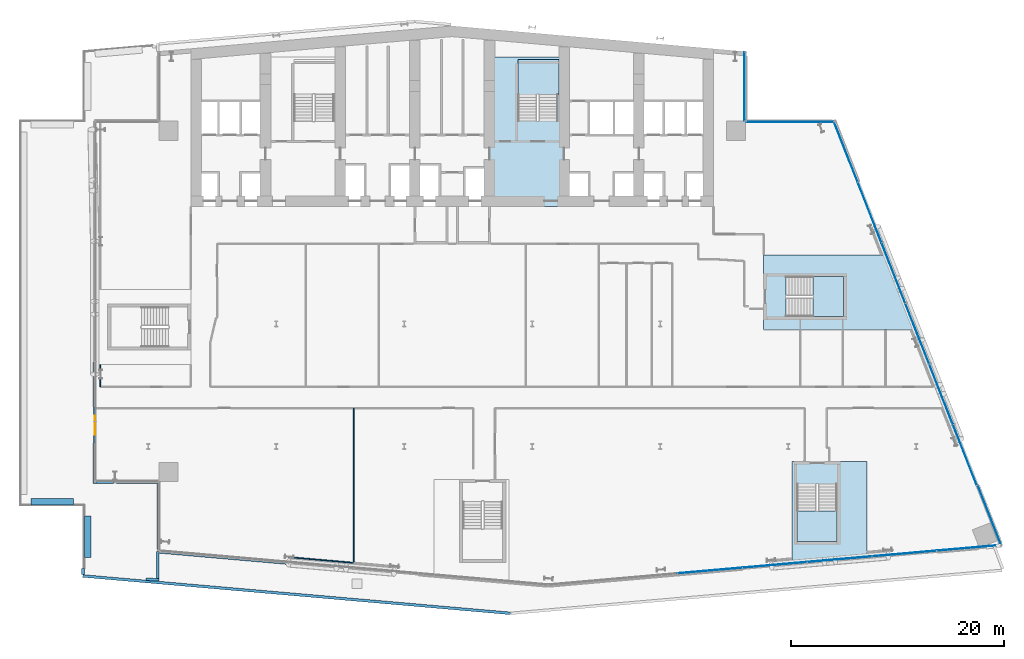
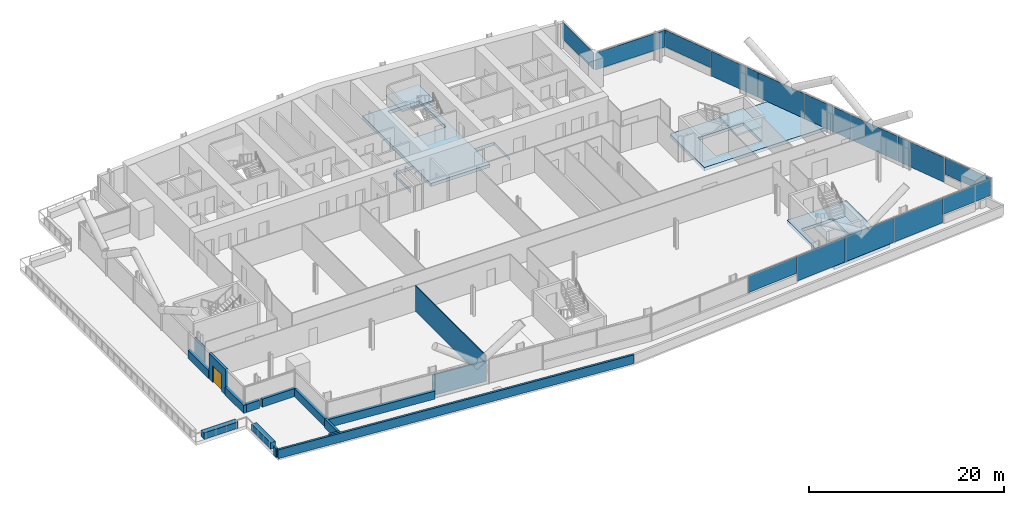
# One storey, part 10 of 26: 16 walls, 14 plates, 6 slabs, 1 door, 1 opening, 7 elements without a shape of their own.
"""IFC4 building model written with IfcOpenShell, lengths in metres."""

from ifc_helpers import new_model, si_unit, direction, frame, frame_2d, origin, origin_2d, place, context, subcontext, project, spatial, polyline, rectangle, outline, extrude, material, layer, layer_set, type_object, element, fill, aggregate, save


model = new_model("IFC4")

# Units and contexts
model_context = context("Model", 3, precision=1e-05, world=origin(), true_north=direction((0.0, 1.0)))
body_context = subcontext(model_context, "Body", "Model", "MODEL_VIEW")
ifc_project = project(units=[si_unit("LENGTHUNIT", "METRE"), si_unit("AREAUNIT", "SQUARE_METRE"), si_unit("VOLUMEUNIT", "CUBIC_METRE"), si_unit("PLANEANGLEUNIT", "RADIAN"), si_unit("MASSUNIT", "GRAM", prefix="KILO")], contexts=[model_context])

# Site, building, storey
site_placement = place(None, origin())
site = spatial("IfcSite", under=ifc_project, at=site_placement, CompositionType="ELEMENT")
building_placement = place(site_placement, origin())
building = spatial("IfcBuilding", under=site, at=building_placement, Name="Wharfspan Tower", CompositionType="ELEMENT")
storey_placement = place(building_placement, frame((0.0, 0.0, 96.699951)))
storey = spatial("IfcBuildingStorey", under=building, at=storey_placement, Name="L21", CompositionType="ELEMENT", Elevation=96.699951)

# Curtain wall, plates
ifc_material_1 = material(Name="Aluminium 6063-T6", Category="aluminium")
curtain_wall_type_1 = type_object("IfcCurtainWallType", Name="CURTAIN WALL FACETED FRONT", PredefinedType="NOTDEFINED", material=ifc_material_1)
curtain_wall_1_placement = place(storey_placement, origin())
curtain_wall_1 = element("IfcCurtainWall", 1, at=curtain_wall_1_placement, inside=storey, type_object=curtain_wall_type_1, Name="Curtain wall S2", PredefinedType="NOTDEFINED")
ifc_material_2 = material(Name="Glass clear low-iron double glazing", Category="glass")
ifc_layer_1 = layer(ifc_material_2, 0.040039)
ifc_layer_set_1 = layer_set([ifc_layer_1], Name="Glass clear low-iron double glazing")
plate_type_1 = type_object("IfcPlateType", Name="GLASS PANEL FACETED FRONT 40", PredefinedType="CURTAIN_PANEL", material=ifc_layer_set_1)
plate_1_placement = place(storey_placement, frame((64.67334, -0.130615, 1.0), z_axis=(0.0, 0.0, 1.0), x_axis=(0.996198, 0.087156, 0.0)))
plate_1 = element("IfcPlate", 2, at=plate_1_placement, type_object=plate_type_1, Name="Curtain wall S2 panel 3", PredefinedType="CURTAIN_PANEL", context=body_context, shape_type="SweptSolid", body=[
    extrude(rectangle(XDim=6.034668, YDim=0.040039, at=origin_2d()), origin(), (0.0, 0.0, 1.0), 2.120117),
])
plate_2_placement = place(storey_placement, frame((88.944092, 1.99292, 1.0), z_axis=(0.0, 0.0, 1.0), x_axis=(0.996198, 0.087156, 0.0)))
plate_2 = element("IfcPlate", 3, at=plate_2_placement, type_object=plate_type_1, Name="Curtain wall S2 panel 7", PredefinedType="CURTAIN_PANEL", context=body_context, shape_type="SweptSolid", body=[
    extrude(rectangle(XDim=6.004639, YDim=0.040039, at=origin_2d()), origin(), (0.0, 0.0, 1.0), 2.120117),
])

curtain_wall_type_2 = type_object("IfcCurtainWallType", Name="CURTAIN WALL PROW AND END", PredefinedType="NOTDEFINED", material=ifc_material_1)
curtain_wall_2_placement = place(storey_placement, origin())
curtain_wall_2 = element("IfcCurtainWall", 4, at=curtain_wall_2_placement, inside=storey, type_object=curtain_wall_type_2, Name="Curtain wall E", PredefinedType="NOTDEFINED")
ifc_layer_2 = layer(ifc_material_2, 0.040039)
ifc_layer_set_2 = layer_set([ifc_layer_2], Name="Glass clear low-iron double glazing")
plate_type_2 = type_object("IfcPlateType", Name="GLASS PANEL PROW AND END 40", PredefinedType="CURTAIN_PANEL", material=ifc_layer_set_2)
plate_3_placement = place(storey_placement, frame((90.877197, 5.056885, 1.0), z_axis=(0.0, 0.0, 1.0), x_axis=(-0.365778, 0.930702, 0.0)))
plate_3 = element("IfcPlate", 5, at=plate_3_placement, type_object=plate_type_2, Name="Curtain wall E panel 1", PredefinedType="CURTAIN_PANEL", context=body_context, shape_type="SweptSolid", body=[
    extrude(rectangle(XDim=6.019043, YDim=0.040039, at=origin_2d()), origin(), (0.0, 0.0, 1.0), 2.120117),
])
plate_4_placement = place(storey_placement, frame((77.406494, 39.114014, 1.0), z_axis=(0.0, 0.0, 1.0), x_axis=(-0.365778, 0.930702, 0.0)))
plate_4 = element("IfcPlate", 6, at=plate_4_placement, type_object=plate_type_2, Name="Curtain wall E panel 7", PredefinedType="CURTAIN_PANEL", context=body_context, shape_type="SweptSolid", body=[
    extrude(rectangle(XDim=6.019043, YDim=0.040039, at=origin_2d()), origin(), (0.0, 0.0, 1.0), 2.120117),
])

# Curtain wall, plate
curtain_wall_3_placement = place(storey_placement, origin())
curtain_wall_3 = element("IfcCurtainWall", 7, at=curtain_wall_3_placement, inside=storey, type_object=curtain_wall_type_2, Name="Curtain wall NRE-H", PredefinedType="NOTDEFINED")
plate_5_placement = place(storey_placement, frame((72.178955, 41.919922, 1.0), z_axis=(0.0, 0.0, 1.0), x_axis=(-1.0, 0.0, 0.0)))
plate_5 = element("IfcPlate", 8, at=plate_5_placement, type_object=plate_type_2, Name="Curtain wall NRE-H panel 1", PredefinedType="CURTAIN_PANEL", context=body_context, shape_type="SweptSolid", body=[
    extrude(rectangle(XDim=8.238037, YDim=0.040039, at=origin_2d()), origin(), (0.0, 0.0, 1.0), 2.120117),
])
aggregate(curtain_wall_3, [plate_5])

curtain_wall_4_placement = place(storey_placement, origin())
curtain_wall_4 = element("IfcCurtainWall", 9, at=curtain_wall_4_placement, inside=storey, type_object=curtain_wall_type_2, Name="Curtain wall NRE-V", PredefinedType="NOTDEFINED")
plate_6_placement = place(storey_placement, frame((67.919922, 45.262451, 1.0), z_axis=(0.0, 0.0, 1.0), x_axis=(0.0, 1.0, 0.0)))
plate_6 = element("IfcPlate", 10, at=plate_6_placement, type_object=plate_type_2, Name="Curtain wall NRE-V panel 1", PredefinedType="CURTAIN_PANEL", context=body_context, shape_type="SweptSolid", body=[
    extrude(rectangle(XDim=6.405029, YDim=0.040039, at=origin_2d()), origin(), (0.0, 0.0, 1.0), 2.120117),
])
aggregate(curtain_wall_4, [plate_6])

# Plate
ifc_material_3 = material(Name="Aluminium composite opaque insulated panel", Category="aluminium")
ifc_layer_3 = layer(ifc_material_3, 0.040039)
ifc_layer_set_3 = layer_set([ifc_layer_3], Name="Aluminium composite opaque insulated panel")
plate_type_3 = type_object("IfcPlateType", Name="INFILL PANEL FACETED FRONT OPAQUE 40", PredefinedType="SHEET", material=ifc_layer_set_3)
plate_7_placement = place(storey_placement, frame((70.744873, 0.400635, 0.0), z_axis=(0.0, 0.0, 1.0), x_axis=(0.996198, 0.087156, 0.0)))
plate_7 = element("IfcPlate", 11, at=plate_7_placement, type_object=plate_type_3, Name="Curtain wall S2 panel 4", PredefinedType="SHEET", context=body_context, shape_type="SweptSolid", body=[
    extrude(rectangle(XDim=6.034668, YDim=0.040039, at=origin_2d()), origin(), (0.0, 0.0, 1.0), 3.120117),
])

plate_8_placement = place(storey_placement, frame((76.816162, 0.931885, 0.0), z_axis=(0.0, 0.0, 1.0), x_axis=(0.996198, 0.087156, 0.0)))
plate_8 = element("IfcPlate", 12, at=plate_8_placement, type_object=plate_type_3, Name="Curtain wall S2 panel 5", PredefinedType="SHEET", context=body_context, shape_type="SweptSolid", body=[
    extrude(rectangle(XDim=6.034668, YDim=0.040039, at=origin_2d()), origin(), (0.0, 0.0, 1.0), 3.120117),
])

plate_9_placement = place(storey_placement, frame((82.887695, 1.462891, 0.0), z_axis=(0.0, 0.0, 1.0), x_axis=(0.996198, 0.087156, 0.0)))
plate_9 = element("IfcPlate", 13, at=plate_9_placement, type_object=plate_type_3, Name="Curtain wall S2 panel 6", PredefinedType="SHEET", context=body_context, shape_type="SweptSolid", body=[
    extrude(rectangle(XDim=6.034668, YDim=0.040039, at=origin_2d()), origin(), (0.0, 0.0, 1.0), 3.120117),
])

aggregate(curtain_wall_1, [plate_1, plate_7, plate_8, plate_9, plate_2])

ifc_layer_4 = layer(ifc_material_3, 0.040039)
ifc_layer_set_4 = layer_set([ifc_layer_4], Name="Aluminium composite opaque insulated panel")
plate_type_4 = type_object("IfcPlateType", Name="INFILL PANEL PROW AND END OPAQUE 40", PredefinedType="SHEET", material=ifc_layer_set_4)
plate_10_placement = place(storey_placement, frame((88.57373, 10.699219, 0.0), z_axis=(0.0, 0.0, 1.0), x_axis=(-0.365778, 0.930702, 0.0)))
plate_10 = element("IfcPlate", 14, at=plate_10_placement, type_object=plate_type_4, Name="Curtain wall E panel 2", PredefinedType="SHEET", context=body_context, shape_type="SweptSolid", body=[
    extrude(rectangle(XDim=6.049072, YDim=0.040039, at=origin_2d()), origin(), (0.0, 0.0, 1.0), 3.120117),
])

plate_11_placement = place(storey_placement, frame((86.339111, 16.38501, 0.0), z_axis=(0.0, 0.0, 1.0), x_axis=(-0.365778, 0.930702, 0.0)))
plate_11 = element("IfcPlate", 15, at=plate_11_placement, type_object=plate_type_4, Name="Curtain wall E panel 3", PredefinedType="SHEET", context=body_context, shape_type="SweptSolid", body=[
    extrude(rectangle(XDim=6.049072, YDim=0.040039, at=origin_2d()), origin(), (0.0, 0.0, 1.0), 3.120117),
])

plate_12_placement = place(storey_placement, frame((84.104492, 22.070801, 0.0), z_axis=(0.0, 0.0, 1.0), x_axis=(-0.365778, 0.930702, 0.0)))
plate_12 = element("IfcPlate", 16, at=plate_12_placement, type_object=plate_type_4, Name="Curtain wall E panel 4", PredefinedType="SHEET", context=body_context, shape_type="SweptSolid", body=[
    extrude(rectangle(XDim=6.049072, YDim=0.040039, at=origin_2d()), origin(), (0.0, 0.0, 1.0), 3.120117),
])

plate_13_placement = place(storey_placement, frame((81.870117, 27.756348, 0.0), z_axis=(0.0, 0.0, 1.0), x_axis=(-0.365778, 0.930702, 0.0)))
plate_13 = element("IfcPlate", 17, at=plate_13_placement, type_object=plate_type_4, Name="Curtain wall E panel 5", PredefinedType="SHEET", context=body_context, shape_type="SweptSolid", body=[
    extrude(rectangle(XDim=6.049072, YDim=0.040039, at=origin_2d()), origin(), (0.0, 0.0, 1.0), 3.120117),
])

plate_14_placement = place(storey_placement, frame((79.635498, 33.442139, 0.0), z_axis=(0.0, 0.0, 1.0), x_axis=(-0.365778, 0.930702, 0.0)))
plate_14 = element("IfcPlate", 18, at=plate_14_placement, type_object=plate_type_4, Name="Curtain wall E panel 6", PredefinedType="SHEET", context=body_context, shape_type="SweptSolid", body=[
    extrude(rectangle(XDim=6.049072, YDim=0.040039, at=origin_2d()), origin(), (0.0, 0.0, 1.0), 3.120117),
])

aggregate(curtain_wall_2, [plate_3, plate_10, plate_11, plate_12, plate_13, plate_14, plate_4])

# Slabs
ifc_material_4 = material(Name="Concrete C40/50", Category="concrete")
ifc_layer_5 = layer(ifc_material_4, 0.399902)
ifc_layer_set_5 = layer_set([ifc_layer_5], Name="Concrete C40/50")
slab_type_1 = type_object("IfcSlabType", Name="Post-tensioned flat slab 400", PredefinedType="FLOOR", material=ifc_layer_set_5)
slab_1_placement = place(storey_placement, frame((0.0, 0.0, -0.400146)))
element("IfcSlab", 19, at=slab_1_placement, inside=storey, type_object=slab_type_1, Name="Core floor slab L21 part 4", PredefinedType="FLOOR", context=body_context, shape_type="SweptSolid", body=[
    extrude(outline(polyline([(53.341309, 34.0), (53.341309, 37.208008), (51.01001, 37.208008), (51.009766, 37.208008), (51.009521, 37.208008), (51.009521, 37.208008), (51.009277, 37.208252), (51.009033, 37.208252), (51.008789, 37.208252), (51.008789, 37.208496), (51.008545, 37.208496), (51.008545, 37.20874), (51.008301, 37.208984), (51.008301, 37.208984), (51.008301, 37.209229), (51.008057, 37.209473), (51.008057, 37.209717), (51.008057, 37.209717), (51.008057, 37.209961), (51.008057, 48.008057), (43.991943, 48.008057), (43.991943, 37.659912), (43.991943, 37.659912), (43.991943, 37.659668), (43.991943, 37.659424), (43.991699, 37.65918), (43.991699, 37.65918), (43.991699, 37.658936), (43.991455, 37.658691), (43.991455, 37.658691), (43.991211, 37.658447), (43.991211, 37.658203), (43.990967, 37.658203), (43.990723, 37.658203), (43.990479, 37.658203), (43.990479, 37.657959), (43.990234, 37.657959), (43.98999, 37.657959), (41.658691, 37.657959), (41.658691, 34.0), (41.664795, 34.0), (41.664795, 37.649902), (41.664795, 37.650146), (41.664795, 37.650391), (41.664795, 37.650635), (41.664795, 37.650879), (41.664795, 37.650879), (41.665039, 37.651123), (41.665039, 37.651367), (41.665283, 37.651367), (41.665283, 37.651611), (41.665527, 37.651611), (41.665771, 37.651855), (41.666016, 37.651855), (41.666016, 37.651855), (41.66626, 37.6521), (41.666504, 37.6521), (41.666748, 37.6521), (44.0, 37.6521), (44.000244, 37.6521), (44.000488, 37.6521), (44.000488, 37.651855), (44.000732, 37.651855), (44.000977, 37.651855), (44.001221, 37.651611), (44.001221, 37.651611), (44.001465, 37.651367), (44.001465, 37.651367), (44.001709, 37.651123), (44.001709, 37.650879), (44.001709, 37.650879), (44.001953, 37.650635), (44.001953, 37.650391), (44.001953, 37.650146), (44.001953, 37.649902), (44.001953, 34.0), (50.998047, 34.0), (50.998047, 37.199951), (50.998047, 37.200195), (50.998047, 37.200439), (50.998047, 37.200684), (50.998291, 37.200684), (50.998291, 37.200928), (50.998291, 37.201172), (50.998535, 37.201416), (50.998535, 37.201416), (50.998779, 37.201416), (50.998779, 37.20166), (50.999023, 37.201904), (50.999268, 37.201904), (50.999512, 37.201904), (50.999512, 37.201904), (50.999756, 37.201904), (51.0, 37.201904), (53.333252, 37.201904), (53.333496, 37.201904), (53.33374, 37.201904), (53.333984, 37.201904), (53.333984, 37.201904), (53.334229, 37.201904), (53.334473, 37.20166), (53.334717, 37.201416), (53.334717, 37.201416), (53.334961, 37.201416), (53.334961, 37.201172), (53.335205, 37.200928), (53.335205, 37.200684), (53.335205, 37.200684), (53.335205, 37.200439), (53.335205, 37.200195), (53.335205, 37.199951), (53.335205, 34.0), (53.341309, 34.0)]), holes=[polyline([(46.649902, 41.998047), (46.649902, 41.998047), (46.649658, 41.998047), (46.649414, 41.998047), (46.64917, 41.998291), (46.64917, 41.998291), (46.648926, 41.998291), (46.648682, 41.998535), (46.648682, 41.998535), (46.648438, 41.998779), (46.648193, 41.998779), (46.648193, 41.999023), (46.648193, 41.999268), (46.648193, 41.999512), (46.647949, 41.999512), (46.647949, 41.999756), (46.647949, 42.0), (46.647949, 47.399902), (46.647949, 47.400146), (46.647949, 47.400391), (46.648193, 47.400635), (46.648193, 47.400879), (46.648193, 47.400879), (46.648193, 47.401123), (46.648438, 47.401367), (46.648682, 47.401367), (46.648682, 47.401611), (46.648926, 47.401611), (46.64917, 47.401855), (46.64917, 47.401855), (46.649414, 47.401855), (46.649658, 47.4021), (46.649902, 47.4021), (46.649902, 47.4021), (50.399902, 47.4021), (50.400146, 47.4021), (50.400391, 47.4021), (50.400635, 47.401855), (50.400879, 47.401855), (50.400879, 47.401855), (50.401123, 47.401611), (50.401367, 47.401611), (50.401367, 47.401367), (50.401611, 47.401367), (50.401611, 47.401123), (50.401855, 47.400879), (50.401855, 47.400879), (50.401855, 47.400635), (50.4021, 47.400391), (50.4021, 47.400146), (50.4021, 47.399902), (50.4021, 42.0), (50.4021, 41.999756), (50.4021, 41.999512), (50.401855, 41.999512), (50.401855, 41.999268), (50.401855, 41.999023), (50.401611, 41.998779), (50.401611, 41.998779), (50.401367, 41.998535), (50.401367, 41.998535), (50.401123, 41.998291), (50.400879, 41.998291), (50.400879, 41.998291), (50.400635, 41.998047), (50.400391, 41.998047), (50.400146, 41.998047), (50.399902, 41.998047), (46.649902, 41.998047)])]), origin(), (0.0, 0.0, 1.0), 0.400146),
])
slab_2_placement = place(storey_placement, frame((0.0, 0.0, -0.400146)))
element("IfcSlab", 20, at=slab_2_placement, inside=storey, type_object=slab_type_1, Name="Core floor slab L21 part 5", PredefinedType="FLOOR", context=body_context, shape_type="SweptSolid", body=[
    extrude(outline(polyline([(79.365967, 10.094727), (76.891113, 10.094727), (72.541016, 10.094727), (72.365967, 10.094727), (72.365967, 0.482422), (79.365967, 1.094727), (79.365967, 10.094727)]), holes=[polyline([(76.591064, 7.996582), (76.591309, 7.996582), (76.591309, 7.996582), (76.591553, 7.996582), (76.591797, 7.996582), (76.591797, 7.996338), (76.592041, 7.996338), (76.592285, 7.996094), (76.592285, 7.996094), (76.592529, 7.99585), (76.592773, 7.99585), (76.592773, 7.995605), (76.593018, 7.995361), (76.593018, 7.995117), (76.593018, 7.995117), (76.593018, 7.994873), (76.593018, 7.994629), (76.593018, 2.594727), (76.593018, 2.594482), (76.593018, 2.594238), (76.593018, 2.593994), (76.593018, 2.593994), (76.592773, 2.59375), (76.592773, 2.593506), (76.592529, 2.593506), (76.592285, 2.593262), (76.592285, 2.593018), (76.592041, 2.593018), (76.591797, 2.593018), (76.591797, 2.592773), (76.591553, 2.592773), (76.591309, 2.592773), (76.591309, 2.592773), (76.591064, 2.592773), (72.841064, 2.592773), (72.84082, 2.592773), (72.840576, 2.592773), (72.840332, 2.592773), (72.840088, 2.592773), (72.840088, 2.593018), (72.839844, 2.593018), (72.8396, 2.593018), (72.8396, 2.593262), (72.8396, 2.593506), (72.839355, 2.593506), (72.839111, 2.59375), (72.839111, 2.593994), (72.839111, 2.593994), (72.839111, 2.594238), (72.839111, 2.594482), (72.839111, 2.594727), (72.839111, 7.994629), (72.839111, 7.994873), (72.839111, 7.995117), (72.839111, 7.995117), (72.839111, 7.995361), (72.839111, 7.995605), (72.839355, 7.99585), (72.8396, 7.99585), (72.8396, 7.996094), (72.8396, 7.996094), (72.839844, 7.996338), (72.840088, 7.996338), (72.840088, 7.996582), (72.840332, 7.996582), (72.840576, 7.996582), (72.84082, 7.996582), (72.841064, 7.996582), (76.591064, 7.996582)])]), origin(), (0.0, 0.0, 1.0), 0.400146),
])
slab_3_placement = place(storey_placement, frame((0.0, 0.0, -0.400146)))
element("IfcSlab", 21, at=slab_3_placement, inside=storey, type_object=slab_type_1, Name="Core floor slab L21 part 6", PredefinedType="FLOOR", context=body_context, shape_type="SweptSolid", body=[
    extrude(outline(polyline([(81.290283, 29.449951), (69.69043, 29.449951), (69.69043, 27.725098), (69.69043, 23.375), (69.69043, 22.449951), (84.041504, 22.449951), (81.290283, 29.449951)]), holes=[polyline([(71.78833, 27.425049), (71.78833, 27.425293), (71.78833, 27.425293), (71.788574, 27.425537), (71.788574, 27.425781), (71.788574, 27.425781), (71.788818, 27.426025), (71.788818, 27.42627), (71.789062, 27.426514), (71.789062, 27.426514), (71.789307, 27.426758), (71.789551, 27.426758), (71.789551, 27.426758), (71.789795, 27.427002), (71.790039, 27.427002), (71.790283, 27.427002), (71.790283, 27.427002), (77.19043, 27.427002), (77.190674, 27.427002), (77.190918, 27.427002), (77.190918, 27.427002), (77.191162, 27.426758), (77.191406, 27.426758), (77.191406, 27.426758), (77.19165, 27.426514), (77.191895, 27.426514), (77.191895, 27.42627), (77.192139, 27.426025), (77.192139, 27.425781), (77.192139, 27.425781), (77.192383, 27.425537), (77.192383, 27.425293), (77.192383, 27.425293), (77.192383, 27.425049), (77.192383, 23.675049), (77.192383, 23.674805), (77.192383, 23.674561), (77.192383, 23.674316), (77.192139, 23.674316), (77.192139, 23.674072), (77.192139, 23.673828), (77.191895, 23.673584), (77.191895, 23.673584), (77.19165, 23.673584), (77.191406, 23.67334), (77.191406, 23.673096), (77.191162, 23.673096), (77.190918, 23.673096), (77.190918, 23.673096), (77.190674, 23.673096), (77.19043, 23.673096), (71.790283, 23.673096), (71.790283, 23.673096), (71.790039, 23.673096), (71.789795, 23.673096), (71.789551, 23.673096), (71.789551, 23.673096), (71.789307, 23.67334), (71.789062, 23.673584), (71.789062, 23.673584), (71.788818, 23.673584), (71.788818, 23.673828), (71.788574, 23.674072), (71.788574, 23.674316), (71.788574, 23.674316), (71.78833, 23.674561), (71.78833, 23.674805), (71.78833, 23.675049), (71.78833, 27.425049)])]), origin(), (0.0, 0.0, 1.0), 0.400146),
])

# Stair, slab
stair_type = type_object("IfcStairType", Name="Half-turn stair 20 risers 180 mm", PredefinedType="HALF_TURN_STAIR", material=ifc_material_4)
stair_1_placement = place(storey_placement, origin())
stair_1 = element("IfcStair", 22, at=stair_1_placement, inside=storey, type_object=stair_type, Name="L21 stair ST2", PredefinedType="HALF_TURN_STAIR")
ifc_layer_6 = layer(ifc_material_4, 0.199951)
ifc_layer_set_6 = layer_set([ifc_layer_6], Name="Concrete C40/50")
slab_type_2 = type_object("IfcSlabType", Name="Stair landing 200", PredefinedType="LANDING", material=ifc_layer_set_6)
slab_4_placement = place(storey_placement, frame((0.0, 0.0, 1.599854)))
slab_4 = element("IfcSlab", 23, at=slab_4_placement, type_object=slab_type_2, Name="ST2 landing 1", PredefinedType="LANDING", context=body_context, shape_type="SweptSolid", body=[
    extrude(outline(polyline([(46.649902, 44.52002), (50.5, 44.52002), (50.5, 47.783691), (46.649902, 47.783691), (46.649902, 44.52002)])), origin(), (0.0, 0.0, 1.0), 0.200195),
])
aggregate(stair_1, [slab_4])

stair_2_placement = place(storey_placement, origin())
stair_2 = element("IfcStair", 24, at=stair_2_placement, inside=storey, type_object=stair_type, Name="L21 stair ST5", PredefinedType="HALF_TURN_STAIR")
slab_5_placement = place(storey_placement, frame((0.0, 0.0, 1.599854)))
slab_5 = element("IfcSlab", 25, at=slab_5_placement, type_object=slab_type_2, Name="ST5 landing 1", PredefinedType="LANDING", context=body_context, shape_type="SweptSolid", body=[
    extrude(outline(polyline([(72.841064, 5.474609), (72.841064, 2.594727), (76.591064, 2.594727), (76.591064, 5.474609), (72.841064, 5.474609)])), origin(), (0.0, 0.0, 1.0), 0.200195),
])
aggregate(stair_2, [slab_5])

stair_3_placement = place(storey_placement, origin())
stair_3 = element("IfcStair", 26, at=stair_3_placement, inside=storey, type_object=stair_type, Name="L21 stair ST6", PredefinedType="HALF_TURN_STAIR")
slab_6_placement = place(storey_placement, frame((0.0, 0.0, 1.599854)))
slab_6 = element("IfcSlab", 27, at=slab_6_placement, type_object=slab_type_2, Name="ST6 landing 1", PredefinedType="LANDING", context=body_context, shape_type="SweptSolid", body=[
    extrude(outline(polyline([(74.310303, 23.675049), (77.19043, 23.675049), (77.19043, 27.425049), (74.310303, 27.425049), (74.310303, 23.675049)])), origin(), (0.0, 0.0, 1.0), 0.200195),
])
aggregate(stair_3, [slab_6])

# Walls
ifc_material_5 = material(Name="Gypsum board on steel studs", Category="steel")
ifc_layer_7 = layer(ifc_material_5, 0.100098)
ifc_layer_set_7 = layer_set([ifc_layer_7], Name="Gypsum board on steel studs")
wall_type_1 = type_object("IfcWallType", Name="Compartment wall 100 EI 60", PredefinedType="PARTITIONING", material=ifc_layer_set_7)
wall_1_placement = place(storey_placement, frame((7.51001, 17.094971, 0.0), z_axis=(0.0, 0.0, 1.0), x_axis=(0.0, 1.0, 0.0)))
element("IfcWall", 28, at=wall_1_placement, inside=storey, type_object=wall_type_1, Name="Partition L21.w002", PredefinedType="PARTITIONING", context=body_context, shape_type="SweptSolid", body=[
    extrude(rectangle(XDim=2.084961, YDim=0.100098, at=frame_2d((1.04248, 0.0))), origin(), (0.0, 0.0, 1.0), 2.580078),
])
wall_2_placement = place(storey_placement, frame((31.25, 0.590088, 0.0), z_axis=(0.0, 0.0, 1.0), x_axis=(0.0, 1.0, 0.0)))
element("IfcWall", 29, at=wall_2_placement, inside=storey, type_object=wall_type_1, Name="Partition L21.w016", PredefinedType="PARTITIONING", context=body_context, shape_type="SweptSolid", body=[
    extrude(rectangle(XDim=14.5, YDim=0.100098, at=frame_2d((7.25, 0.0))), origin(), (0.0, 0.0, 1.0), 3.199951),
])

# Wall, opening, door
ifc_layer_8 = layer(ifc_material_4, 0.300049)
ifc_layer_set_8 = layer_set([ifc_layer_8], Name="Concrete C40/50")
wall_type_2 = type_object("IfcWallType", Name="External door wall 300", PredefinedType="SOLIDWALL", material=ifc_layer_set_8)
wall_3_placement = place(storey_placement, frame((7.0, 11.804688, 0.0), z_axis=(0.0, 0.0, 1.0), x_axis=(0.0, 1.0, 0.0)))
wall_3 = element("IfcWall", 30, at=wall_3_placement, inside=storey, type_object=wall_type_2, Name="Terrace door wall T1W", PredefinedType="SOLIDWALL", context=body_context, shape_type="SweptSolid", body=[
    extrude(rectangle(XDim=3.399902, YDim=0.300049, at=frame_2d((1.699951, 0.0))), origin(), (0.0, 0.0, 1.0), 3.199951),
])
opening_placement = place(wall_3_placement, frame((0.800049, 0.0, 0.0)))
opening = element("IfcOpeningElement", 31, at=opening_placement, cuts=wall_3, Name="Opening TD-L21", PredefinedType="OPENING", context=body_context, shape_type="SweptSolid", body=[
    extrude(rectangle(XDim=1.800049, YDim=2.100098, at=frame_2d((0.899902, 1.050049))), frame((0.0, 0.159912, 0.0), z_axis=(0.0, -1.0, 0.0), x_axis=(1.0, 0.0, 0.0)), (0.0, 0.0, 1.0), 0.320068),
])
ifc_material_6 = material(Name="Fire-rated glazed door leaf in steel frame", Category="steel")
door_type = type_object("IfcDoorType", Name="Terrace door 1800 FD30S", OperationType="DOUBLE_DOOR_SINGLE_SWING", PredefinedType="DOOR", material=ifc_material_6)
door_placement = place(opening_placement, origin())
door = element("IfcDoor", 32, at=door_placement, inside=storey, type_object=door_type, Name="Terrace door L21", OperationType="DOUBLE_DOOR_SINGLE_SWING", OverallHeight=2.100098, OverallWidth=1.800049, PredefinedType="DOOR", context=body_context, shape_type="SweptSolid", body=[
    extrude(rectangle(XDim=1.800049, YDim=2.100098, at=frame_2d((0.899902, 1.050049))), frame((0.0, 0.024902, 0.0), z_axis=(0.0, -1.0, 0.0), x_axis=(1.0, 0.0, 0.0)), (0.0, 0.0, 1.0), 0.050049),
])
fill(opening, door)

# Walls
ifc_layer_9 = layer(ifc_material_4, 0.25)
ifc_layer_set_9 = layer_set([ifc_layer_9], Name="Concrete C40/50")
wall_type_3 = type_object("IfcWallType", Name="PARAPET CONCRETE 250", PredefinedType="PARAPET", material=ifc_layer_set_9)
wall_4_placement = place(storey_placement, frame((45.970215, -4.147461, 0.0), z_axis=(0.0, 0.0, 1.0), x_axis=(-0.996199, 0.087156, 0.0)))
element("IfcWall", 33, at=wall_4_placement, inside=storey, type_object=wall_type_3, Name="Ledge parapet", PredefinedType="PARAPET", context=body_context, shape_type="SweptSolid", body=[
    extrude(rectangle(XDim=40.258789, YDim=0.25, at=frame_2d((20.129395, 0.0))), origin(), (0.0, 0.0, 1.0), 1.100098),
])
wall_5_placement = place(storey_placement, frame((11.773193, -0.94458, 0.0), z_axis=(0.0, 0.0, 1.0), x_axis=(0.998698, -0.051088, 0.0)))
element("IfcWall", 34, at=wall_5_placement, inside=storey, type_object=wall_type_3, Name="Ledge parapet", PredefinedType="PARAPET", context=body_context, shape_type="SweptSolid", body=[
    extrude(rectangle(XDim=1.228271, YDim=0.25, at=frame_2d((0.614258, 0.0))), origin(), (0.0, 0.0, 1.0), 1.100098),
])
wall_6_placement = place(storey_placement, frame((12.875, -0.865967, 0.0), z_axis=(0.0, 0.0, 1.0), x_axis=(0.0, 1.0, 0.0)))
element("IfcWall", 35, at=wall_6_placement, inside=storey, type_object=wall_type_3, Name="Ledge parapet", PredefinedType="PARAPET", context=body_context, shape_type="SweptSolid", body=[
    extrude(rectangle(XDim=2.541016, YDim=0.25, at=frame_2d((1.270508, 0.0))), origin(), (0.0, 0.0, 1.0), 1.100098),
])
wall_7_placement = place(storey_placement, frame((5.875, -0.514893, 0.0), z_axis=(0.0, 0.0, 1.0), x_axis=(0.0, 1.0, 0.0)))
element("IfcWall", 36, at=wall_7_placement, inside=storey, type_object=wall_type_3, Name="Ledge parapet", PredefinedType="PARAPET", context=body_context, shape_type="SweptSolid", body=[
    extrude(rectangle(XDim=0.589844, YDim=0.25, at=frame_2d((0.294922, 0.0))), origin(), (0.0, 0.0, 1.0), 1.100098),
])
ifc_layer_10 = layer(ifc_material_4, 0.600098)
ifc_layer_set_10 = layer_set([ifc_layer_10], Name="Concrete C40/50")
wall_type_4 = type_object("IfcWallType", Name="PLANTER CONCRETE 600", PredefinedType="SOLIDWALL", material=ifc_layer_set_10)
wall_8_placement = place(storey_placement, frame((6.320068, 1.074951, 0.0), z_axis=(0.0, 0.0, 1.0), x_axis=(0.0, 1.0, 0.0)))
element("IfcWall", 37, at=wall_8_placement, inside=storey, type_object=wall_type_4, Name="Planter", PredefinedType="SOLIDWALL", context=body_context, shape_type="SweptSolid", body=[
    extrude(rectangle(XDim=3.925049, YDim=0.600098, at=frame_2d((1.962402, 0.0))), origin(), (0.0, 0.0, 1.0), 0.800049),
])
wall_9_placement = place(storey_placement, frame((5.0, 6.320068, 0.0), z_axis=(0.0, 0.0, 1.0), x_axis=(-1.0, 0.0, 0.0)))
element("IfcWall", 38, at=wall_9_placement, inside=storey, type_object=wall_type_4, Name="Planter", PredefinedType="SOLIDWALL", context=body_context, shape_type="SweptSolid", body=[
    extrude(rectangle(XDim=4.0, YDim=0.600098, at=frame_2d((2.0, 0.0))), origin(), (0.0, 0.0, 1.0), 0.800049),
])
ifc_layer_11 = layer(ifc_material_5, 0.100098)
ifc_layer_set_11 = layer_set([ifc_layer_11], Name="Gypsum board on steel studs")
wall_type_5 = type_object("IfcWallType", Name="Partition 100", PredefinedType="PARTITIONING", material=ifc_layer_set_11)
wall_10_placement = place(storey_placement, frame((31.25, 0.590088, 0.0), z_axis=(0.0, 0.0, 1.0), x_axis=(-0.996225, 0.086776, 0.0)))
element("IfcWall", 39, at=wall_10_placement, inside=storey, type_object=wall_type_5, Name="Partition L21.w015", PredefinedType="PARTITIONING", context=body_context, shape_type="SweptSolid", body=[
    extrude(rectangle(XDim=6.10791, YDim=0.100098, at=frame_2d((3.053955, 0.0))), origin(), (0.0, 0.0, 1.0), 2.580078),
])
ifc_layer_12 = layer(ifc_material_4, 0.350098)
ifc_layer_set_12 = layer_set([ifc_layer_12], Name="Concrete C40/50")
wall_type_6 = type_object("IfcWallType", Name="SPANDREL EXPOSED CONCRETE 350", PredefinedType="SOLIDWALL", material=ifc_layer_set_12)
wall_11_placement = place(storey_placement, frame((13.015137, 1.668701, 0.0), z_axis=(0.0, 0.0, 1.0), x_axis=(0.996194, -0.087163, 0.0)))
element("IfcWall", 40, at=wall_11_placement, inside=storey, type_object=wall_type_6, Name="Spandrel upstand L21 S1 1", PredefinedType="SOLIDWALL", context=body_context, shape_type="SweptSolid", body=[
    extrude(rectangle(XDim=12.16748, YDim=0.350098, at=frame_2d((6.08374, 0.0))), origin(), (0.0, 0.0, 1.0), 1.0),
])
wall_12_placement = place(storey_placement, frame((6.995117, 19.436768, 0.0), z_axis=(0.0, 0.0, 1.0), x_axis=(0.0, -1.0, 0.0)))
element("IfcWall", 41, at=wall_12_placement, inside=storey, type_object=wall_type_6, Name="Spandrel upstand L21 W", PredefinedType="SOLIDWALL", context=body_context, shape_type="SweptSolid", body=[
    extrude(rectangle(XDim=4.232178, YDim=0.350098, at=frame_2d((2.116211, 0.0))), origin(), (0.0, 0.0, 1.0), 1.0),
])
wall_13_placement = place(storey_placement, frame((6.995117, 11.804688, 0.0), z_axis=(0.0, 0.0, 1.0), x_axis=(0.0, -1.0, 0.0)))
element("IfcWall", 42, at=wall_13_placement, inside=storey, type_object=wall_type_6, Name="Spandrel upstand L21 W 2", PredefinedType="SOLIDWALL", context=body_context, shape_type="SweptSolid", body=[
    extrude(rectangle(XDim=3.784668, YDim=0.350098, at=frame_2d((1.892334, 0.0))), origin(), (0.0, 0.0, 1.0), 1.0),
])
wall_14_placement = place(storey_placement, frame((7.169922, 8.195068, 0.0), z_axis=(0.0, 0.0, 1.0), x_axis=(1.0, 0.0, 0.0)))
element("IfcWall", 43, at=wall_14_placement, inside=storey, type_object=wall_type_6, Name="Spandrel upstand L21 NFW-H", PredefinedType="SOLIDWALL", context=body_context, shape_type="SweptSolid", body=[
    extrude(rectangle(XDim=1.563232, YDim=0.350098, at=frame_2d((0.781738, 0.0))), origin(), (0.0, 0.0, 1.0), 1.0),
])
wall_15_placement = place(storey_placement, frame((9.036133, 8.195068, 0.0), z_axis=(0.0, 0.0, 1.0), x_axis=(1.0, 0.0, 0.0)))
element("IfcWall", 44, at=wall_15_placement, inside=storey, type_object=wall_type_6, Name="Spandrel upstand L21 NFW-H 2", PredefinedType="SOLIDWALL", context=body_context, shape_type="SweptSolid", body=[
    extrude(rectangle(XDim=3.963867, YDim=0.350098, at=frame_2d((1.981934, 0.0))), origin(), (0.0, 0.0, 1.0), 1.0),
])
wall_16_placement = place(storey_placement, frame((12.995117, 8.02002, 0.0), z_axis=(0.0, 0.0, 1.0), x_axis=(0.0, -1.0, 0.0)))
element("IfcWall", 45, at=wall_16_placement, inside=storey, type_object=wall_type_6, Name="Spandrel upstand L21 NFW-V", PredefinedType="SOLIDWALL", context=body_context, shape_type="SweptSolid", body=[
    extrude(rectangle(XDim=6.177002, YDim=0.350098, at=frame_2d((3.088379, 0.0))), origin(), (0.0, 0.0, 1.0), 1.0),
])

save(model, "model.ifc")
